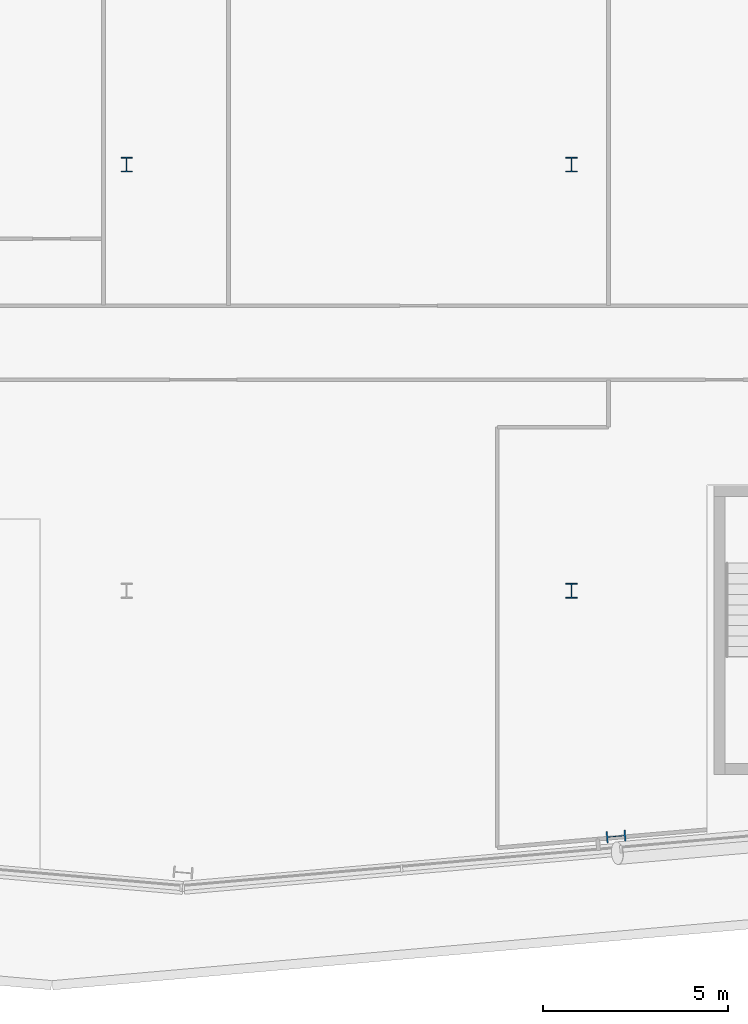
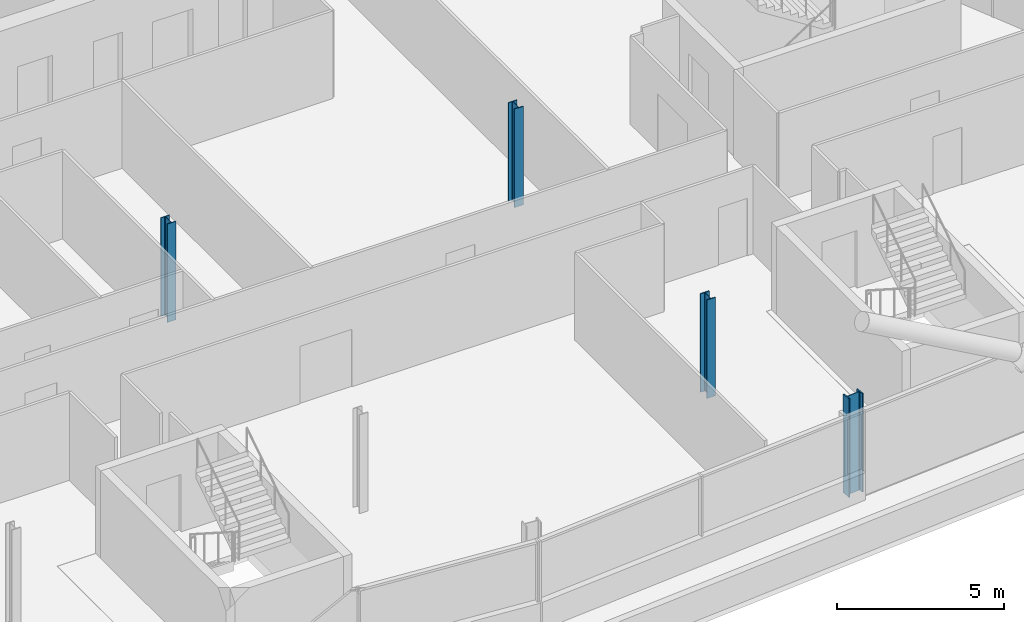
# One storey, part 2 of 27: 4 columns.
"""IFC4 building model written with IfcOpenShell, lengths in metres."""

import ifcopenshell
import ifcopenshell.guid

model = None  # the IFC model being written
_history = None  # IfcOwnerHistory: only IFC2X3 demands one
_inside = {}  # id of a spatial element -> (the spatial element, [elements in it])
_under = {}  # id of a project, library or spatial element -> (it, [spatial elements below it])
_declared = {}  # id of a project -> (the project, [libraries it declares])
_typed = {}  # id of a type object -> (the type object, [elements of that type])
_made_of = {}  # id of a material, layer set ... -> (it, [elements and type objects made of it])


def new_model(schema):
    """Start an empty IFC model of exactly this schema.

    Asked for "IFC4X3", IfcOpenShell would pick the latest addendum, in which some entities
    have other attributes; the version numbers below select the first issue.
    IFC2X3 requires an IfcOwnerHistory on every rooted entity: one is made here for all.
    """
    global model, _history
    if schema == "IFC4X3":
        model = ifcopenshell.file(schema_version=(4, 3, 0, 0))
    else:
        model = ifcopenshell.file(schema=schema)
    _inside.clear()
    _under.clear()
    _declared.clear()
    _typed.clear()
    _made_of.clear()
    _history = None
    if model.schema == "IFC2X3":
        org = make("IfcOrganization", Name="unknown")
        user = make(
            "IfcPersonAndOrganization",
            ThePerson=make("IfcPerson", FamilyName="unknown"),
            TheOrganization=org,
        )
        app = make(
            "IfcApplication",
            ApplicationDeveloper=org,
            Version="unknown",
            ApplicationFullName="unknown",
            ApplicationIdentifier="unknown",
        )
        _history = make(
            "IfcOwnerHistory",
            OwningUser=user,
            OwningApplication=app,
            ChangeAction="ADDED",
            CreationDate=0,
        )
    return model


def make(cls, **values):
    """One entity of the class cls with the attributes given. An attribute that is None is left unset."""
    return model.create_entity(
        cls, **{name: value for name, value in values.items() if value is not None}
    )


def rooted(cls, **values):
    """An entity with a GlobalId (a new one), such as an element, a storey or a relation."""
    return make(cls, GlobalId=ifcopenshell.guid.new(), OwnerHistory=_history, **values)


def si_unit(unit_type, name, prefix=None):
    """IfcSIUnit, for example si_unit("LENGTHUNIT", "METRE", prefix="MILLI")."""
    return make("IfcSIUnit", UnitType=unit_type, Prefix=prefix, Name=name)


def assignment(units):
    """IfcUnitAssignment: the units of a project."""
    return None if units is None else make("IfcUnitAssignment", Units=units)


def point(xyz):
    """IfcCartesianPoint."""
    return None if xyz is None else make("IfcCartesianPoint", Coordinates=xyz)


def direction(xyz):
    """IfcDirection."""
    return None if xyz is None else make("IfcDirection", DirectionRatios=xyz)


def frame(location, z_axis=None, x_axis=None):
    """IfcAxis2Placement3D, a coordinate frame: its origin and axes. An axis left out is left unset."""
    return make(
        "IfcAxis2Placement3D",
        Location=point(location),
        Axis=direction(z_axis),
        RefDirection=direction(x_axis),
    )


def frame_2d(location, x_axis=None):
    """IfcAxis2Placement2D, a coordinate frame in the plane: its origin and x axis."""
    return make(
        "IfcAxis2Placement2D", Location=point(location), RefDirection=direction(x_axis)
    )


def origin():
    """The frame at (0, 0, 0) with its axes left unset."""
    return frame((0.0, 0.0, 0.0))


def origin_2d():
    """The frame at (0, 0) in the plane with its x axis left unset."""
    return frame_2d((0.0, 0.0))


def place(relative_to, where):
    """IfcLocalPlacement: puts the frame where relative to a parent placement (None: the world)."""
    return make(
        "IfcLocalPlacement", PlacementRelTo=relative_to, RelativePlacement=where
    )


def context(
    kind, dimensions, precision=None, world=None, true_north=None, identifier=None
):
    """IfcGeometricRepresentationContext, for example the 3D "Model" context."""
    return make(
        "IfcGeometricRepresentationContext",
        ContextIdentifier=identifier,
        ContextType=kind,
        CoordinateSpaceDimension=dimensions,
        Precision=precision,
        WorldCoordinateSystem=world,
        TrueNorth=true_north,
    )


def subcontext(parent, identifier, kind, view, scale=None):
    """IfcGeometricRepresentationSubContext, for example "Body" below "Model"."""
    return make(
        "IfcGeometricRepresentationSubContext",
        ContextIdentifier=identifier,
        ContextType=kind,
        ParentContext=parent,
        TargetScale=scale,
        TargetView=view,
    )


def project(units=None, contexts=None):
    """IfcProject with its units and contexts."""
    return rooted(
        "IfcProject",
        Name="project",
        RepresentationContexts=contexts,
        UnitsInContext=assignment(units),
    )


def spatial(cls, under=None, at=None, **own):
    """A site, building, storey or space (cls), placed at a placement, below another one or the project."""
    s = rooted(cls, ObjectPlacement=at, **own)
    if under is not None:
        _under.setdefault(under.id(), (under, []))[1].append(s)
    return s


def profile(cls, at=None, kind="AREA", **sizes):
    """A parametric profile (cls). Its sizes go by their IFC names, for example OverallWidth=200.0."""
    return make(cls, ProfileType=kind, Position=at, **sizes)


def i_section(**sizes):
    """IfcIShapeProfileDef."""
    return profile("IfcIShapeProfileDef", **sizes)


def extrude(swept, where, along, depth):
    """IfcExtrudedAreaSolid: the profile swept, set in the frame where, extruded along a direction by depth."""
    return make(
        "IfcExtrudedAreaSolid",
        SweptArea=swept,
        Position=where,
        ExtrudedDirection=direction(along),
        Depth=depth,
    )


def shape(context_of_items, identifier, shape_type, items):
    """IfcShapeRepresentation: the items that make up one representation, for example the "Body"."""
    return make(
        "IfcShapeRepresentation",
        ContextOfItems=context_of_items,
        RepresentationIdentifier=identifier,
        RepresentationType=shape_type,
        Items=items,
    )


def material(Name=None, Category=None):
    """IfcMaterial."""
    return make("IfcMaterial", Name=Name, Category=Category)


def material_profile(
    of_material, cross_section, Name=None, Category=None, Priority=None
):
    """IfcMaterialProfile: a cross section and its material."""
    return make(
        "IfcMaterialProfile",
        Name=Name,
        Material=of_material,
        Profile=cross_section,
        Priority=Priority,
        Category=Category,
    )


def profile_set(profiles, Name=None, composite=None):
    """IfcMaterialProfileSet."""
    return make(
        "IfcMaterialProfileSet",
        Name=Name,
        MaterialProfiles=profiles,
        CompositeProfile=composite,
    )


def made_of(thing, what):
    """Note that an element or type object is made of a material, layer set ...; save() writes the relation."""
    if what is not None:
        _made_of.setdefault(what.id(), (what, []))[1].append(thing)
    return thing


def type_object(cls, material=None, **own):
    """A type object (cls), such as IfcWallType, which elements share."""
    return made_of(rooted(cls, **own), material)


def element(
    cls,
    number,
    at=None,
    inside=None,
    cuts=None,
    type_object=None,
    material=None,
    context=None,
    identifier="Body",
    shape_type=None,
    held_by="IfcProductDefinitionShape",
    body=None,
    shapes=None,
    **own,
):
    """One element of the class cls, such as IfcWall. Its Tag is "e" and its number.

    at: its placement. inside: the storey or other place that contains it. cuts: it is an
    opening in that element (IfcRelVoidsElement). A single representation is given by context,
    identifier, shape_type and body (its items); several are given by shapes. held_by: the class
    of the entity that holds the representations. save() writes the other relations.
    """
    e = rooted(cls, Tag="e%d" % number, ObjectPlacement=at, **own)
    if body is not None:
        shapes = [shape(context, identifier, shape_type, body)]
    if shapes is not None:
        e.Representation = make(held_by, Representations=shapes)
    if inside is not None:
        _inside.setdefault(inside.id(), (inside, []))[1].append(e)
    if cuts is not None:
        rooted(
            "IfcRelVoidsElement", RelatingBuildingElement=cuts, RelatedOpeningElement=e
        )
    if type_object is not None:
        _typed.setdefault(type_object.id(), (type_object, []))[1].append(e)
    return made_of(e, material)


def aggregate(whole, parts):
    """IfcRelAggregates: a whole, such as a stair, and the parts it consists of."""
    return rooted("IfcRelAggregates", RelatingObject=whole, RelatedObjects=parts)


def save(model, path):
    """Write the relations noted so far, then the file.

    IfcRelAggregates (storeys below a building ...), IfcRelContainedInSpatialStructure (elements
    in a storey), IfcRelDefinesByType, IfcRelAssociatesMaterial and IfcRelDeclares: one each for
    every whole, place, type object, material and project.
    """
    for whole, parts in _under.values():
        aggregate(whole, parts)
    for where, things in _inside.values():
        rooted(
            "IfcRelContainedInSpatialStructure",
            RelatedElements=things,
            RelatingStructure=where,
        )
    for kind, things in _typed.values():
        rooted("IfcRelDefinesByType", RelatedObjects=things, RelatingType=kind)
    for what, things in _made_of.values():
        rooted("IfcRelAssociatesMaterial", RelatedObjects=things, RelatingMaterial=what)
    for by, libraries in _declared.values():
        rooted("IfcRelDeclares", RelatingContext=by, RelatedDefinitions=libraries)
    model.write(path)


model = new_model("IFC4")

# Units and contexts
model_context = context("Model", 3, precision=1e-05, world=origin(), true_north=direction((0.0, 1.0)))
body_context = subcontext(model_context, "Body", "Model", "MODEL_VIEW")
ifc_project = project(units=[si_unit("LENGTHUNIT", "METRE"), si_unit("AREAUNIT", "SQUARE_METRE"), si_unit("VOLUMEUNIT", "CUBIC_METRE"), si_unit("PLANEANGLEUNIT", "RADIAN"), si_unit("MASSUNIT", "GRAM", prefix="KILO")], contexts=[model_context])

# Site, building, storey
site_placement = place(None, origin())
site = spatial("IfcSite", under=ifc_project, at=site_placement, CompositionType="ELEMENT")
building_placement = place(site_placement, origin())
building = spatial("IfcBuilding", under=site, at=building_placement, Name="Wharfspan Tower", CompositionType="ELEMENT")
storey_placement = place(building_placement, frame((0.0, 0.0, 207.100098)))
storey = spatial("IfcBuildingStorey", under=building, at=storey_placement, Name="L51", CompositionType="ELEMENT", Elevation=207.100098)

# Columns
ifc_material = material(Name="Steel S355J2", Category="steel")
ifc_material_profile_1 = material_profile(ifc_material, i_section(OverallWidth=0.300049, OverallDepth=0.399902, WebThickness=0.013428, FlangeThickness=0.023926, FilletRadius=0.0271, at=origin_2d()))
ifc_profile_set_1 = profile_set([ifc_material_profile_1], Name="Steel S355J2")
column_type_1 = type_object("IfcColumnType", Name="Column HEB 400", PredefinedType="COLUMN", material=ifc_profile_set_1)
for number, where, z_axis, x_axis, name in (
    (1, (60.0, 11.5, 0.0), (0.0, 0.0, 1.0), (1.0, 0.0, 0.0), "Interior column I.1.4 L51"),
    (2, (48.0, 23.0, 0.0), (0.0, 0.0, 1.0), (1.0, 0.0, 0.0), "Interior column I.2.3 L51"),
    (3, (60.0, 23.0, 0.0), (0.0, 0.0, 1.0), (1.0, 0.0, 0.0), "Interior column I.2.4 L51"),
):
    element("IfcColumn", number, at=place(storey_placement, frame(where, z_axis=z_axis, x_axis=x_axis)), inside=storey, type_object=column_type_1, Name=name, PredefinedType="COLUMN", context=body_context, shape_type="SweptSolid", body=[
        extrude(i_section(OverallWidth=0.300049, OverallDepth=0.399902, WebThickness=0.013428, FlangeThickness=0.023926, FilletRadius=0.0271, at=origin_2d()), origin(), (0.0, 0.0, 1.0), 3.599854),
    ])
ifc_material_profile_2 = material_profile(ifc_material, i_section(OverallWidth=0.305908, OverallDepth=0.523926, WebThickness=0.020996, FlangeThickness=0.040039, FilletRadius=0.0271, at=origin_2d()))
ifc_profile_set_2 = profile_set([ifc_material_profile_2], Name="Steel S355J2")
column_type_2 = type_object("IfcColumnType", Name="Column HEM 500", PredefinedType="COLUMN", material=ifc_profile_set_2)
column_placement = place(storey_placement, frame((61.202393, 4.879395, 0.0), z_axis=(0.0, 0.0, 1.0), x_axis=(0.087156, -0.996197, 0.0)))
element("IfcColumn", 4, at=column_placement, inside=storey, type_object=column_type_2, Name="Perimeter column PS2.1 L51", PredefinedType="COLUMN", context=body_context, shape_type="SweptSolid", body=[
    extrude(i_section(OverallWidth=0.305908, OverallDepth=0.523926, WebThickness=0.020996, FlangeThickness=0.040039, FilletRadius=0.0271, at=origin_2d()), origin(), (0.0, 0.0, 1.0), 3.599854),
])

save(model, "model.ifc")
